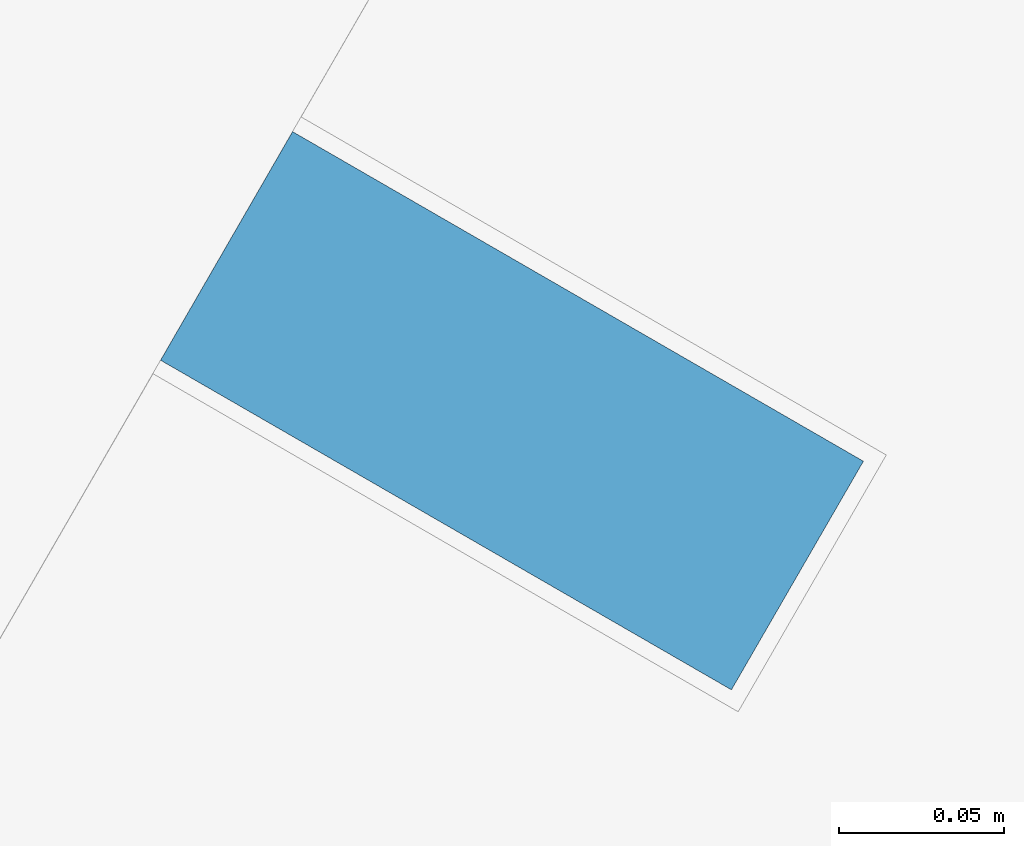
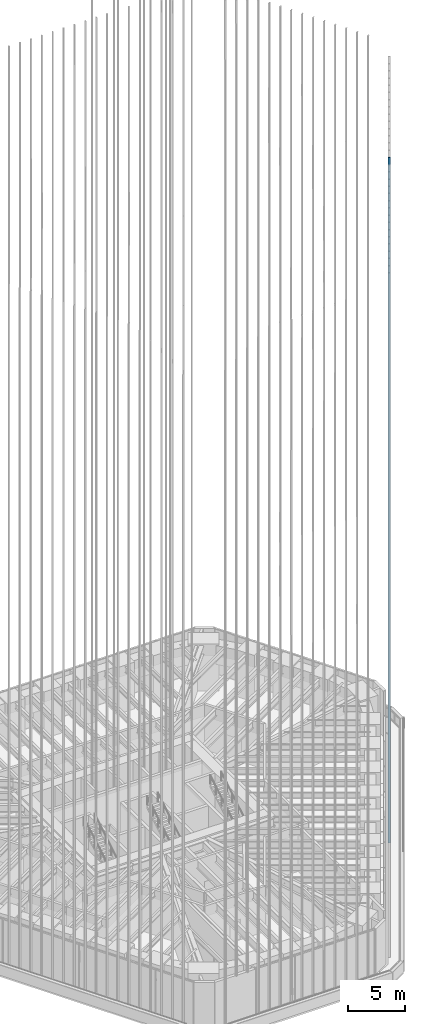
# One storey, part 104 of 228: 1 member, 1 element without a shape of its own.
"""IFC4 building model written with IfcOpenShell, lengths in metres."""

from ifc_helpers import new_model, si_unit, direction, frame, origin, origin_2d, place, context, subcontext, project, spatial, rectangle, extrude, material, material_profile, profile_set, type_object, element, aggregate, save


model = new_model("IFC4")

# Units and contexts
model_context = context("Model", 3, precision=1e-05, world=origin(), true_north=direction((0.0, 1.0)))
body_context = subcontext(model_context, "Body", "Model", "MODEL_VIEW")
ifc_project = project(units=[si_unit("LENGTHUNIT", "METRE"), si_unit("AREAUNIT", "SQUARE_METRE"), si_unit("VOLUMEUNIT", "CUBIC_METRE"), si_unit("PLANEANGLEUNIT", "RADIAN"), si_unit("MASSUNIT", "GRAM", prefix="KILO")], contexts=[model_context])

# Site, building, storey
site_placement = place(None, origin())
site = spatial("IfcSite", under=ifc_project, at=site_placement, CompositionType="ELEMENT")
building_placement = place(site_placement, origin())
building = spatial("IfcBuilding", under=site, at=building_placement, Name="Sandreach Pilgrim Tower", CompositionType="ELEMENT")
storey_placement = place(building_placement, frame((0.0, 0.0, 178.199951171875)))
storey = spatial("IfcBuildingStorey", under=building, at=storey_placement, Name="L44", CompositionType="ELEMENT", Elevation=178.199951171875)

# Curtain wall, member
ifc_material_1 = material(Name="Aluminium framed curtain wall", Category="aluminium")
curtain_wall_type = type_object("IfcCurtainWallType", Name="Upper hotel tower curtain wall", PredefinedType="NOTDEFINED", material=ifc_material_1)
curtain_wall_placement = place(storey_placement, origin())
curtain_wall = element("IfcCurtainWall", 1, at=curtain_wall_placement, inside=storey, type_object=curtain_wall_type, Name="CW-3 L44 SE", PredefinedType="NOTDEFINED")
ifc_material_2 = material(Name="Extruded terracotta on aluminium core", Category="masonry")
ifc_material_profile = material_profile(ifc_material_2, rectangle(XDim=0.080078125, YDim=0.199951171875, at=origin_2d()), Name="TBE 80X200")
ifc_profile_set = profile_set([ifc_material_profile], Name="Extruded terracotta on aluminium core")
member_type = type_object("IfcMemberType", Name="Terracotta baguette east", PredefinedType="USERDEFINED", material=ifc_profile_set)
member_placement = place(storey_placement, frame((19.22216796875, -9.826416015625, 0.0), z_axis=(0.0, 0.0, 1.0), x_axis=(-0.5, -0.866025403784, 0.0)))
member = element("IfcMember", 2, at=member_placement, type_object=member_type, Name="Baguette Z3 SE15", ObjectType="BAGUETTE", PredefinedType="USERDEFINED", context=body_context, shape_type="SweptSolid", body=[
    extrude(rectangle(XDim=0.080078125, YDim=0.199951171875, at=origin_2d()), origin(), (0.0, 0.0, 1.0), 73.239990234375),
])
aggregate(curtain_wall, [member])

save(model, "model.ifc")
